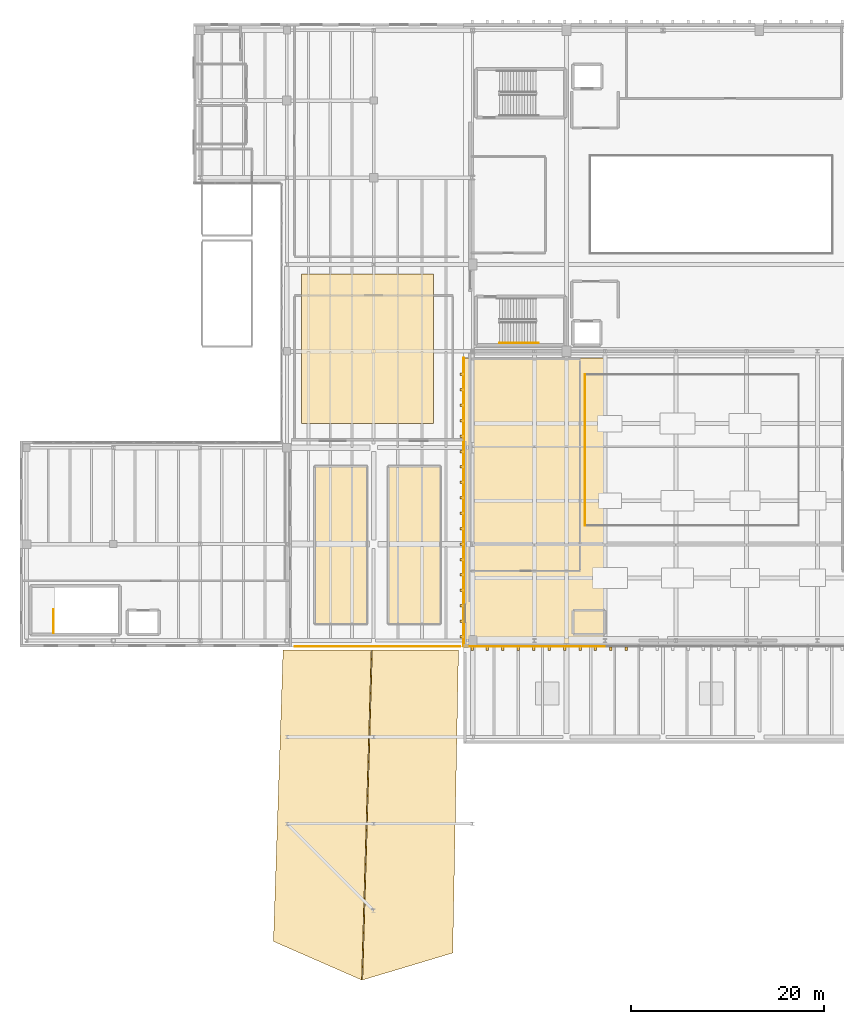
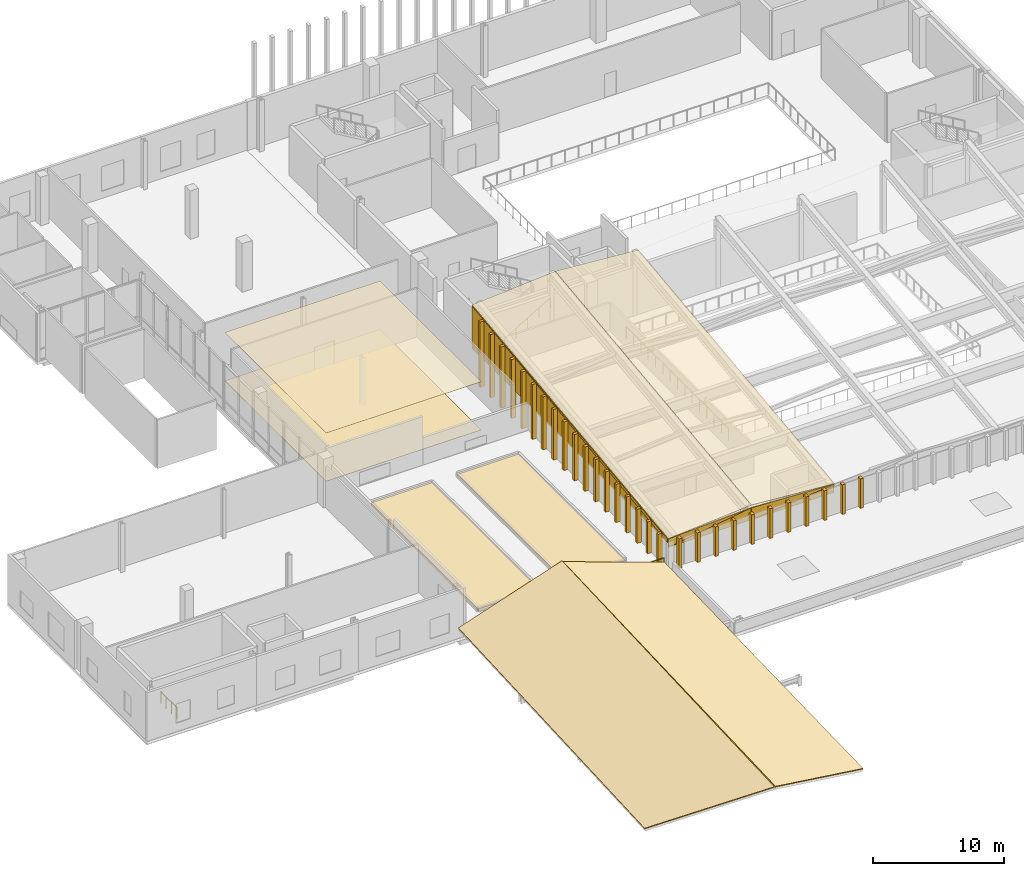
# One storey, part 24 of 30: 43 coverings, 4 railings.
"""IFC4 building model written with IfcOpenShell, lengths in metres."""

from ifc_helpers import new_model, si_unit, direction, frame, origin, origin_2d, place, context, subcontext, project, spatial, polyline, rectangle, circle, outline, extrude, material, layer, layer_set, type_object, element, save


model = new_model("IFC4")

# Units and contexts
model_context = context("Model", 3, precision=1e-05, world=origin(), true_north=direction((0.0, 1.0)))
body_context = subcontext(model_context, "Body", "Model", "MODEL_VIEW")
ifc_project = project(units=[si_unit("LENGTHUNIT", "METRE"), si_unit("AREAUNIT", "SQUARE_METRE"), si_unit("VOLUMEUNIT", "CUBIC_METRE"), si_unit("PLANEANGLEUNIT", "RADIAN"), si_unit("MASSUNIT", "GRAM", prefix="KILO")], contexts=[model_context])

# Site, building, storey
site_placement = place(None, origin())
site = spatial("IfcSite", under=ifc_project, at=site_placement, CompositionType="ELEMENT")
building_placement = place(site_placement, origin())
building = spatial("IfcBuilding", under=site, at=building_placement, Name="Trimount Lyric Opera House", CompositionType="ELEMENT")
storey_placement = place(building_placement, frame((0.0, 0.0, 24.800048828125)))
storey = spatial("IfcBuildingStorey", under=building, at=storey_placement, Name="L05", CompositionType="ELEMENT", Elevation=24.800048828125)

# Coverings
ifc_material_1 = material(Name="Acoustic Gypsum Suspended Ceiling")
ifc_layer_1 = layer(ifc_material_1, 0.030029296875)
ifc_layer_set_1 = layer_set([ifc_layer_1], Name="CEIL-GYP1")
covering_type_1 = type_object("IfcCoveringType", Name="CEIL-GYP1", PredefinedType="CEILING", material=ifc_layer_set_1)
covering_1_placement = place(storey_placement, frame((0.0, 0.0, 4.5)))
element("IfcCovering", 1, at=covering_1_placement, inside=storey, type_object=covering_type_1, Name="Performer Canteen acoustic ceiling", PredefinedType="CEILING", context=body_context, shape_type="SweptSolid", body=[
    extrude(outline(polyline([(46.5, 76.5), (60.199951171875, 76.5), (60.199951171875, 92.0), (46.5, 92.0), (46.5, 76.5)])), origin(), (0.0, 0.0, 1.0), 0.030029296875),
])
ifc_material_2 = material(Name="Matte White GFRC Crystal Facet Panel")
ifc_layer_2 = layer(ifc_material_2, 0.0849609375)
ifc_layer_set_2 = layer_set([ifc_layer_2], Name="CLD-CRYS1")
covering_type_2 = type_object("IfcCoveringType", Name="CLD-CRYS1", PredefinedType="CLADDING", material=ifc_layer_set_2)
covering_2_placement = place(storey_placement, frame((43.60009765625, 22.800048828125, 1.23095703125), z_axis=(-0.317243109544, 0.009277083858, 0.948298869113), x_axis=(0.875071770487, -0.382549523931, 0.296488209271)))
element("IfcCovering", 2, at=covering_2_placement, inside=storey, type_object=covering_type_2, Name="White crystal roof skin on ROOF-CRYS-S3W", PredefinedType="CLADDING", context=body_context, shape_type="SweptSolid", body=[
    extrude(outline(polyline([(0.0, 0.0), (10.456161742120234, 3.3306690738754696e-16), (-1.75194152664159, 31.962460398674114), (-10.666323602364944, 28.27133030953979), (0.0, 0.0)])), origin(), (0.0, 0.0, -1.0), 0.0849609375),
])
covering_3_placement = place(storey_placement, frame((52.85009765625, 18.800048828125, 4.3310546875), z_axis=(0.334520281591, -0.006391932256, 0.942366873572), x_axis=(0.90749591976, 0.271772079748, -0.320298442531)))
element("IfcCovering", 3, at=covering_3_placement, inside=storey, type_object=covering_type_2, Name="White crystal roof skin on ROOF-CRYS-S3E", PredefinedType="CLADDING", context=body_context, shape_type="SweptSolid", body=[
    extrude(outline(polyline([(0.0, 0.0), (10.302929509126713, -3.885780586188048e-16), (19.381132447476862, 30.06493332443463), (10.2414994994422, 32.64603327654836), (0.0, 0.0)])), origin(), (0.0, 0.0, -1.0), 0.0849609375),
])
ifc_material_3 = material(Name="Extruded Brushed Aluminium Vertical Shed Rib", Category="aluminium")
ifc_layer_3 = layer(ifc_material_3, 0.260009765625)
ifc_layer_set_3 = layer_set([ifc_layer_3], Name="CLD-RIB1")
covering_type_3 = type_object("IfcCoveringType", Name="CLD-RIB1", PredefinedType="CLADDING", material=ifc_layer_set_3)
covering_4_placement = place(storey_placement, frame((63.14990234375, 54.39990234375, 0.0), z_axis=(0.0, 0.0, 1.0), x_axis=(1.0, 0.0, 0.0)))
element("IfcCovering", 4, at=covering_4_placement, inside=storey, type_object=covering_type_3, Name="Auditorium W vertical cladding rib 001", PredefinedType="CLADDING", context=body_context, shape_type="SweptSolid", body=[
    extrude(rectangle(XDim=0.3798828125, YDim=0.260009765625, at=origin_2d()), origin(), (0.0, 0.0, 1.0), 2.781494140625),
])
covering_5_placement = place(storey_placement, frame((63.14990234375, 56.0, 0.0), z_axis=(0.0, 0.0, 1.0), x_axis=(1.0, 0.0, 0.0)))
element("IfcCovering", 5, at=covering_5_placement, inside=storey, type_object=covering_type_3, Name="Auditorium W vertical cladding rib 002", PredefinedType="CLADDING", context=body_context, shape_type="SweptSolid", body=[
    extrude(rectangle(XDim=0.3798828125, YDim=0.260009765625, at=origin_2d()), origin(), (0.0, 0.0, 1.0), 2.97607421875),
])
covering_6_placement = place(storey_placement, frame((63.14990234375, 57.60009765625, 0.0), z_axis=(0.0, 0.0, 1.0), x_axis=(1.0, 0.0, 0.0)))
element("IfcCovering", 6, at=covering_6_placement, inside=storey, type_object=covering_type_3, Name="Auditorium W vertical cladding rib 003", PredefinedType="CLADDING", context=body_context, shape_type="SweptSolid", body=[
    extrude(rectangle(XDim=0.3798828125, YDim=0.260009765625, at=origin_2d()), origin(), (0.0, 0.0, 1.0), 3.170654296875),
])
covering_7_placement = place(storey_placement, frame((63.14990234375, 59.199951171875, 0.0), z_axis=(0.0, 0.0, 1.0), x_axis=(1.0, 0.0, 0.0)))
element("IfcCovering", 7, at=covering_7_placement, inside=storey, type_object=covering_type_3, Name="Auditorium W vertical cladding rib 004", PredefinedType="CLADDING", context=body_context, shape_type="SweptSolid", body=[
    extrude(rectangle(XDim=0.3798828125, YDim=0.260009765625, at=origin_2d()), origin(), (0.0, 0.0, 1.0), 3.365478515625),
])
covering_8_placement = place(storey_placement, frame((63.14990234375, 60.800048828125, 0.0), z_axis=(0.0, 0.0, 1.0), x_axis=(1.0, 0.0, 0.0)))
element("IfcCovering", 8, at=covering_8_placement, inside=storey, type_object=covering_type_3, Name="Auditorium W vertical cladding rib 005", PredefinedType="CLADDING", context=body_context, shape_type="SweptSolid", body=[
    extrude(rectangle(XDim=0.3798828125, YDim=0.260009765625, at=origin_2d()), origin(), (0.0, 0.0, 1.0), 3.56005859375),
])
covering_9_placement = place(storey_placement, frame((63.14990234375, 62.39990234375, 0.0), z_axis=(0.0, 0.0, 1.0), x_axis=(1.0, 0.0, 0.0)))
element("IfcCovering", 9, at=covering_9_placement, inside=storey, type_object=covering_type_3, Name="Auditorium W vertical cladding rib 006", PredefinedType="CLADDING", context=body_context, shape_type="SweptSolid", body=[
    extrude(rectangle(XDim=0.3798828125, YDim=0.260009765625, at=origin_2d()), origin(), (0.0, 0.0, 1.0), 3.754638671875),
])
covering_10_placement = place(storey_placement, frame((63.14990234375, 64.0, 0.0), z_axis=(0.0, 0.0, 1.0), x_axis=(1.0, 0.0, 0.0)))
element("IfcCovering", 10, at=covering_10_placement, inside=storey, type_object=covering_type_3, Name="Auditorium W vertical cladding rib 007", PredefinedType="CLADDING", context=body_context, shape_type="SweptSolid", body=[
    extrude(rectangle(XDim=0.3798828125, YDim=0.260009765625, at=origin_2d()), origin(), (0.0, 0.0, 1.0), 3.949462890625),
])
covering_11_placement = place(storey_placement, frame((63.14990234375, 65.60009765625, 0.0), z_axis=(0.0, 0.0, 1.0), x_axis=(1.0, 0.0, 0.0)))
element("IfcCovering", 11, at=covering_11_placement, inside=storey, type_object=covering_type_3, Name="Auditorium W vertical cladding rib 008", PredefinedType="CLADDING", context=body_context, shape_type="SweptSolid", body=[
    extrude(rectangle(XDim=0.3798828125, YDim=0.260009765625, at=origin_2d()), origin(), (0.0, 0.0, 1.0), 4.14404296875),
])
covering_12_placement = place(storey_placement, frame((63.14990234375, 67.199951171875, 0.0), z_axis=(0.0, 0.0, 1.0), x_axis=(1.0, 0.0, 0.0)))
element("IfcCovering", 12, at=covering_12_placement, inside=storey, type_object=covering_type_3, Name="Auditorium W vertical cladding rib 009", PredefinedType="CLADDING", context=body_context, shape_type="SweptSolid", body=[
    extrude(rectangle(XDim=0.3798828125, YDim=0.260009765625, at=origin_2d()), origin(), (0.0, 0.0, 1.0), 4.338623046875),
])
covering_13_placement = place(storey_placement, frame((63.14990234375, 68.800048828125, 0.0), z_axis=(0.0, 0.0, 1.0), x_axis=(1.0, 0.0, 0.0)))
element("IfcCovering", 13, at=covering_13_placement, inside=storey, type_object=covering_type_3, Name="Auditorium W vertical cladding rib 010", PredefinedType="CLADDING", context=body_context, shape_type="SweptSolid", body=[
    extrude(rectangle(XDim=0.3798828125, YDim=0.260009765625, at=origin_2d()), origin(), (0.0, 0.0, 1.0), 4.533447265625),
])
covering_14_placement = place(storey_placement, frame((63.14990234375, 70.39990234375, 0.0), z_axis=(0.0, 0.0, 1.0), x_axis=(1.0, 0.0, 0.0)))
element("IfcCovering", 14, at=covering_14_placement, inside=storey, type_object=covering_type_3, Name="Auditorium W vertical cladding rib 011", PredefinedType="CLADDING", context=body_context, shape_type="SweptSolid", body=[
    extrude(rectangle(XDim=0.3798828125, YDim=0.260009765625, at=origin_2d()), origin(), (0.0, 0.0, 1.0), 4.72802734375),
])
covering_15_placement = place(storey_placement, frame((63.14990234375, 72.0, 0.0), z_axis=(0.0, 0.0, 1.0), x_axis=(1.0, 0.0, 0.0)))
element("IfcCovering", 15, at=covering_15_placement, inside=storey, type_object=covering_type_3, Name="Auditorium W vertical cladding rib 012", PredefinedType="CLADDING", context=body_context, shape_type="SweptSolid", body=[
    extrude(rectangle(XDim=0.3798828125, YDim=0.260009765625, at=origin_2d()), origin(), (0.0, 0.0, 1.0), 4.922607421875),
])
covering_16_placement = place(storey_placement, frame((63.14990234375, 73.60009765625, 0.0), z_axis=(0.0, 0.0, 1.0), x_axis=(1.0, 0.0, 0.0)))
element("IfcCovering", 16, at=covering_16_placement, inside=storey, type_object=covering_type_3, Name="Auditorium W vertical cladding rib 013", PredefinedType="CLADDING", context=body_context, shape_type="SweptSolid", body=[
    extrude(rectangle(XDim=0.3798828125, YDim=0.260009765625, at=origin_2d()), origin(), (0.0, 0.0, 1.0), 5.117431640625),
])
covering_17_placement = place(storey_placement, frame((63.14990234375, 75.199951171875, 0.0), z_axis=(0.0, 0.0, 1.0), x_axis=(1.0, 0.0, 0.0)))
element("IfcCovering", 17, at=covering_17_placement, inside=storey, type_object=covering_type_3, Name="Auditorium W vertical cladding rib 014", PredefinedType="CLADDING", context=body_context, shape_type="SweptSolid", body=[
    extrude(rectangle(XDim=0.3798828125, YDim=0.260009765625, at=origin_2d()), origin(), (0.0, 0.0, 1.0), 5.31201171875),
])
covering_18_placement = place(storey_placement, frame((63.14990234375, 76.800048828125, 0.0), z_axis=(0.0, 0.0, 1.0), x_axis=(1.0, 0.0, 0.0)))
element("IfcCovering", 18, at=covering_18_placement, inside=storey, type_object=covering_type_3, Name="Auditorium W vertical cladding rib 015", PredefinedType="CLADDING", context=body_context, shape_type="SweptSolid", body=[
    extrude(rectangle(XDim=0.3798828125, YDim=0.260009765625, at=origin_2d()), origin(), (0.0, 0.0, 1.0), 5.506591796875),
])
covering_19_placement = place(storey_placement, frame((63.14990234375, 78.39990234375, 0.0), z_axis=(0.0, 0.0, 1.0), x_axis=(1.0, 0.0, 0.0)))
element("IfcCovering", 19, at=covering_19_placement, inside=storey, type_object=covering_type_3, Name="Auditorium W vertical cladding rib 016", PredefinedType="CLADDING", context=body_context, shape_type="SweptSolid", body=[
    extrude(rectangle(XDim=0.3798828125, YDim=0.260009765625, at=origin_2d()), origin(), (0.0, 0.0, 1.0), 5.701416015625),
])
covering_20_placement = place(storey_placement, frame((63.14990234375, 80.0, 0.0), z_axis=(0.0, 0.0, 1.0), x_axis=(1.0, 0.0, 0.0)))
element("IfcCovering", 20, at=covering_20_placement, inside=storey, type_object=covering_type_3, Name="Auditorium W vertical cladding rib 017", PredefinedType="CLADDING", context=body_context, shape_type="SweptSolid", body=[
    extrude(rectangle(XDim=0.3798828125, YDim=0.260009765625, at=origin_2d()), origin(), (0.0, 0.0, 1.0), 5.89599609375),
])
covering_21_placement = place(storey_placement, frame((63.14990234375, 81.60009765625, 0.0), z_axis=(0.0, 0.0, 1.0), x_axis=(1.0, 0.0, 0.0)))
element("IfcCovering", 21, at=covering_21_placement, inside=storey, type_object=covering_type_3, Name="Auditorium W vertical cladding rib 018", PredefinedType="CLADDING", context=body_context, shape_type="SweptSolid", body=[
    extrude(rectangle(XDim=0.3798828125, YDim=0.260009765625, at=origin_2d()), origin(), (0.0, 0.0, 1.0), 6.0908203125),
])
for number, where, z_axis, x_axis, name in (
    (22, (64.199951171875, 53.155029296875, 0.0), (0.0, 0.0, 1.0), (1.0, 0.0, 0.0), "Auditorium south vertical cladding rib 121"),
    (23, (65.800048828125, 53.155029296875, 0.0), (0.0, 0.0, 1.0), (1.0, 0.0, 0.0), "Auditorium south vertical cladding rib 126"),
    (24, (67.39990234375, 53.155029296875, 0.0), (0.0, 0.0, 1.0), (1.0, 0.0, 0.0), "Auditorium south vertical cladding rib 131"),
    (25, (69.0, 53.155029296875, 0.0), (0.0, 0.0, 1.0), (1.0, 0.0, 0.0), "Auditorium south vertical cladding rib 136"),
    (26, (70.60009765625, 53.155029296875, 0.0), (0.0, 0.0, 1.0), (1.0, 0.0, 0.0), "Auditorium south vertical cladding rib 141"),
    (27, (72.199951171875, 53.155029296875, 0.0), (0.0, 0.0, 1.0), (1.0, 0.0, 0.0), "Auditorium south vertical cladding rib 146"),
    (28, (73.800048828125, 53.155029296875, 0.0), (0.0, 0.0, 1.0), (1.0, 0.0, 0.0), "Auditorium south vertical cladding rib 151"),
    (29, (75.39990234375, 53.155029296875, 0.0), (0.0, 0.0, 1.0), (1.0, 0.0, 0.0), "Auditorium south vertical cladding rib 156"),
    (30, (77.0, 53.155029296875, 0.0), (0.0, 0.0, 1.0), (1.0, 0.0, 0.0), "Auditorium south vertical cladding rib 161"),
    (31, (78.60009765625, 53.155029296875, 0.0), (0.0, 0.0, 1.0), (1.0, 0.0, 0.0), "Auditorium south vertical cladding rib 166"),
    (32, (80.199951171875, 53.155029296875, 0.0), (0.0, 0.0, 1.0), (1.0, 0.0, 0.0), "Auditorium south vertical cladding rib 171"),
):
    element("IfcCovering", number, at=place(storey_placement, frame(where, z_axis=z_axis, x_axis=x_axis)), inside=storey, type_object=covering_type_3, Name=name, PredefinedType="CLADDING", context=body_context, shape_type="SweptSolid", body=[
        extrude(rectangle(XDim=0.260009765625, YDim=0.3798828125, at=origin_2d()), origin(), (0.0, 0.0, 1.0), 2.760009765625),
    ])
ifc_material_4 = material(Name="Anodised Aluminium Acoustic Shed Cladding", Category="aluminium")
ifc_layer_4 = layer(ifc_material_4, 0.074951171875)
ifc_layer_set_4 = layer_set([ifc_layer_4], Name="CLD-SHED1")
covering_type_4 = type_object("IfcCoveringType", Name="CLD-SHED1", PredefinedType="CLADDING", material=ifc_layer_set_4)
covering_22_placement = place(storey_placement, frame((63.340087890625, 53.360107421875, 2.0), z_axis=(0.0, -1.0, 0.0), x_axis=(1.0, 0.0, 0.0)))
element("IfcCovering", 33, at=covering_22_placement, inside=storey, type_object=covering_type_4, Name="Auditorium L05 south folded eave cladding 1.1", PredefinedType="CLADDING", context=body_context, shape_type="SweptSolid", body=[
    extrude(outline(polyline([(0.0, 0.0), (7.297119140625, 0.0), (7.297119140625, 1.119873046875), (0.0, 0.0)])), origin(), (0.0, 0.0, -1.0), 0.074951171875),
])
covering_23_placement = place(storey_placement, frame((63.340087890625, 53.360107421875, 2.0), z_axis=(0.0, -1.0, 0.0), x_axis=(0.988427829949, 0.0, 0.151691875137)))
element("IfcCovering", 34, at=covering_23_placement, inside=storey, type_object=covering_type_4, Name="Auditorium L05 south folded eave cladding 1.2", PredefinedType="CLADDING", context=body_context, shape_type="SweptSolid", body=[
    extrude(outline(polyline([(0.0, 0.0), (7.382551279442144, 0.0), (0.11376890635288844, 0.7413208724616269), (0.0, 0.0)])), origin(), (0.0, 0.0, -1.0), 0.074951171875),
])
covering_24_placement = place(storey_placement, frame((70.67724609375, 53.360107421875, 2.0), z_axis=(0.0, -1.0, 0.0), x_axis=(1.0, 0.0, 0.0)))
element("IfcCovering", 35, at=covering_24_placement, inside=storey, type_object=covering_type_4, Name="Auditorium L05 south folded eave cladding 2.1", PredefinedType="CLADDING", context=body_context, shape_type="SweptSolid", body=[
    extrude(outline(polyline([(0.0, 0.0), (7.297119140625, 0.0), (7.297119140625, 0.75), (0.0, 0.0)])), origin(), (0.0, 0.0, -1.0), 0.074951171875),
])
covering_25_placement = place(storey_placement, frame((70.67724609375, 53.360107421875, 2.0), z_axis=(0.0, -1.0, 0.0), x_axis=(0.994759588879, 0.0, 0.102241676103)))
element("IfcCovering", 36, at=covering_25_placement, inside=storey, type_object=covering_type_4, Name="Auditorium L05 south folded eave cladding 2.2", PredefinedType="CLADDING", context=body_context, shape_type="SweptSolid", body=[
    extrude(outline(polyline([(0.0, 0.0), (7.335560493409876, 1.1102230246251565e-16), (0.11449769733489405, 1.1140044517065912), (0.0, 0.0)])), origin(), (0.0, 0.0, -1.0), 0.074951171875),
])
covering_26_placement = place(storey_placement, frame((63.3798828125, 53.39990234375, 2.39990234375), z_axis=(1.0, 0.0, 0.0), x_axis=(0.0, 1.0, 0.0)))
element("IfcCovering", 37, at=covering_26_placement, inside=storey, type_object=covering_type_4, Name="Auditorium L05 W raked gable cladding 1", PredefinedType="CLADDING", context=body_context, shape_type="SweptSolid", body=[
    extrude(outline(polyline([(0.0, 0.0), (29.920166015625, 0.0), (29.920166015625, 3.97998046875), (0.0, 0.0)])), origin(), (0.0, 0.0, -1.0), 0.074951171875),
])
covering_27_placement = place(storey_placement, frame((63.3798828125, 53.39990234375, 2.39990234375), z_axis=(1.0, 0.0, 0.0), x_axis=(0.0, 0.991268543395, 0.131858541157)))
element("IfcCovering", 38, at=covering_27_placement, inside=storey, type_object=covering_type_4, Name="Auditorium L05 W raked gable cladding 2", PredefinedType="CLADDING", context=body_context, shape_type="SweptSolid", body=[
    extrude(outline(polyline([(0.0, 0.0), (30.183713802880398, 4.440892098500626e-16), (0.04616336621563058, 0.3470407937568504), (0.0, 0.0)])), origin(), (0.0, 0.0, -1.0), 0.074951171875),
])
ifc_material_5 = material(Name="Honed Granite Terrazzo Concourse Flooring", Category="masonry")
ifc_layer_5 = layer(ifc_material_5, 0.02490234375)
ifc_layer_set_5 = layer_set([ifc_layer_5], Name="FLR-TRZ1")
covering_type_5 = type_object("IfcCoveringType", Name="FLR-TRZ1", PredefinedType="FLOORING", material=ifc_layer_set_5)
covering_28_placement = place(storey_placement, origin())
element("IfcCovering", 39, at=covering_28_placement, inside=storey, type_object=covering_type_5, Name="Performer Canteen finish flooring", PredefinedType="FLOORING", context=body_context, shape_type="SweptSolid", body=[
    extrude(outline(polyline([(46.5, 76.5), (60.199951171875, 76.5), (60.199951171875, 92.0), (46.5, 92.0), (46.5, 76.5)])), origin(), (0.0, 0.0, 1.0), 0.02490234375),
])
ifc_material_6 = material(Name="Intensive Planted Sedum and Perennial Roof Garden")
ifc_layer_6 = layer(ifc_material_6, 0.219970703125)
ifc_layer_set_6 = layer_set([ifc_layer_6], Name="RFG-GRDN1")
covering_type_6 = type_object("IfcCoveringType", Name="RFG-GRDN1", PredefinedType="ROOFING", material=ifc_layer_set_6)
covering_29_placement = place(storey_placement, origin())
element("IfcCovering", 40, at=covering_29_placement, inside=storey, type_object=covering_type_6, Name="West Rehearsal Roof Garden planted sedum and perennial bed 1", PredefinedType="ROOFING", context=body_context, shape_type="SweptSolid", body=[
    extrude(outline(polyline([(47.89990234375, 55.719970703125), (53.31005859375, 55.719970703125), (53.31005859375, 72.080078125), (47.89990234375, 72.080078125), (47.89990234375, 55.719970703125)])), origin(), (0.0, 0.0, 1.0), 0.219970703125),
])
covering_30_placement = place(storey_placement, origin())
element("IfcCovering", 41, at=covering_30_placement, inside=storey, type_object=covering_type_6, Name="West Rehearsal Roof Garden planted sedum and perennial bed 2", PredefinedType="ROOFING", context=body_context, shape_type="SweptSolid", body=[
    extrude(outline(polyline([(55.510009765625, 55.719970703125), (60.919921875, 55.719970703125), (60.919921875, 72.080078125), (55.510009765625, 72.080078125), (55.510009765625, 55.719970703125)])), origin(), (0.0, 0.0, 1.0), 0.219970703125),
])
ifc_material_7 = material(Name="Zinc-Titanium Standing-Seam Acoustic Roofing")
ifc_layer_7 = layer(ifc_material_7, 0.044921875)
ifc_layer_set_7 = layer_set([ifc_layer_7], Name="RFG-SHED1")
covering_type_7 = type_object("IfcCoveringType", Name="RFG-SHED1", PredefinedType="ROOFING", material=ifc_layer_set_7)
covering_31_placement = place(storey_placement, frame((63.320068359375, 53.320068359375, 2.841064453125), z_axis=(-0.076888657797, -0.11976838332, 0.989820018316), x_axis=(0.996996556778, -1.966413e-06, 0.077445889299)))
element("IfcCovering", 42, at=covering_31_placement, inside=storey, type_object=covering_type_7, Name="Standing-seam zinc-titanium roofing on AUD-SLAB-01", PredefinedType="ROOFING", context=body_context, shape_type="SweptSolid", body=[
    extrude(outline(polyline([(0.0, 0.0), (7.3592520084149315, 1.3877787807814457e-17), (7.640331426168505, 30.217524982071588), (0.28106051006575694, 30.21749582952838), (0.0, 0.0)])), origin(), (0.0, 0.0, -1.0), 0.044921875),
])
covering_32_placement = place(storey_placement, frame((70.6572265625, 53.320068359375, 3.410888671875), z_axis=(0.076888657797, -0.11976838332, 0.989820018316), x_axis=(0.996996556778, 1.966413e-06, -0.077445889299)))
element("IfcCovering", 43, at=covering_32_placement, inside=storey, type_object=covering_type_7, Name="Standing-seam zinc-titanium roofing on AUD-SLAB-02", PredefinedType="ROOFING", context=body_context, shape_type="SweptSolid", body=[
    extrude(outline(polyline([(0.0, 0.0), (7.3592520084149315, -1.3877787807814457e-17), (7.078191498349175, 30.21749582952838), (-0.28107941775357403, 30.21752498207159), (0.0, 0.0)])), origin(), (0.0, 0.0, -1.0), 0.044921875),
])

# Railings
ifc_material_8 = material(Name="Brushed Stainless Steel 316", Category="steel")
railing_type_1 = type_object("IfcRailingType", Name="RL-GRD110", PredefinedType="GUARDRAIL", material=ifc_material_8)
railing_1_placement = place(storey_placement, frame((20.800048828125, 54.800048828125, 0.0)))
element("IfcRailing", 44, at=railing_1_placement, inside=storey, type_object=railing_type_1, Name="L05 ST-06 top well guard 1", PredefinedType="GUARDRAIL", context=body_context, shape_type="SweptSolid", body=[
    extrude(circle(Radius=0.02392578125, at=origin_2d()), frame((0.0, 0.0, 1.076171875), z_axis=(0.0, 1.0, 0.0), x_axis=(-1.0, 0.0, 0.0)), (0.0, 0.0, 1.0), 2.449951171875),
    extrude(circle(Radius=0.02099609375, at=origin_2d()), origin(), (0.0, 0.0, 1.0), 1.052001953125),
    extrude(circle(Radius=0.02099609375, at=origin_2d()), frame((0.0, 0.816650390625, 0.0)), (0.0, 0.0, 1.0), 1.052001953125),
    extrude(circle(Radius=0.02099609375, at=origin_2d()), frame((0.0, 1.63330078125, 0.0)), (0.0, 0.0, 1.0), 1.052001953125),
    extrude(circle(Radius=0.02099609375, at=origin_2d()), frame((0.0, 2.449951171875, 0.0)), (0.0, 0.0, 1.0), 1.052001953125),
])
railing_2_placement = place(storey_placement, frame((75.919921875, 81.580078125, 0.0)))
element("IfcRailing", 45, at=railing_2_placement, inside=storey, type_object=railing_type_1, Name="L05 atrium and balcony guard GRD-AUD-L05-W", PredefinedType="GUARDRAIL", context=body_context, shape_type="SweptSolid", body=[
    extrude(circle(Radius=0.02392578125, at=origin_2d()), frame((0.0, 0.0, 1.076171875), z_axis=(0.0, -1.0, 0.0), x_axis=(1.0, 0.0, 0.0)), (0.0, 0.0, 1.0), 15.66015625),
    extrude(circle(Radius=0.02099609375, at=origin_2d()), origin(), (0.0, 0.0, 1.0), 1.052001953125),
    extrude(circle(Radius=0.02099609375, at=origin_2d()), frame((0.0, -1.11865234375, 0.0)), (0.0, 0.0, 1.0), 1.052001953125),
    extrude(circle(Radius=0.02099609375, at=origin_2d()), frame((0.0, -2.237060546875, 0.0)), (0.0, 0.0, 1.0), 1.052001953125),
    extrude(circle(Radius=0.02099609375, at=origin_2d()), frame((0.0, -3.355712890625, 0.0)), (0.0, 0.0, 1.0), 1.052001953125),
    extrude(circle(Radius=0.02099609375, at=origin_2d()), frame((0.0, -4.474365234375, 0.0)), (0.0, 0.0, 1.0), 1.052001953125),
    extrude(circle(Radius=0.02099609375, at=origin_2d()), frame((0.0, -5.593017578125, 0.0)), (0.0, 0.0, 1.0), 1.052001953125),
    extrude(circle(Radius=0.02099609375, at=origin_2d()), frame((0.0, -6.71142578125, 0.0)), (0.0, 0.0, 1.0), 1.052001953125),
    extrude(circle(Radius=0.02099609375, at=origin_2d()), frame((0.0, -7.830078125, 0.0)), (0.0, 0.0, 1.0), 1.052001953125),
    extrude(circle(Radius=0.02099609375, at=origin_2d()), frame((0.0, -8.94873046875, 0.0)), (0.0, 0.0, 1.0), 1.052001953125),
    extrude(circle(Radius=0.02099609375, at=origin_2d()), frame((0.0, -10.067138671875, 0.0)), (0.0, 0.0, 1.0), 1.052001953125),
    extrude(circle(Radius=0.02099609375, at=origin_2d()), frame((0.0, -11.185791015625, 0.0)), (0.0, 0.0, 1.0), 1.052001953125),
    extrude(circle(Radius=0.02099609375, at=origin_2d()), frame((0.0, -12.304443359375, 0.0)), (0.0, 0.0, 1.0), 1.052001953125),
    extrude(circle(Radius=0.02099609375, at=origin_2d()), frame((0.0, -13.423095703125, 0.0)), (0.0, 0.0, 1.0), 1.052001953125),
    extrude(circle(Radius=0.02099609375, at=origin_2d()), frame((0.0, -14.54150390625, 0.0)), (0.0, 0.0, 1.0), 1.052001953125),
    extrude(circle(Radius=0.02099609375, at=origin_2d()), frame((0.0, -15.66015625, 0.0)), (0.0, 0.0, 1.0), 1.052001953125),
])
ifc_material_9 = material(Name="Laminated Glass and Stainless Steel", Category="steel")
railing_type_2 = type_object("IfcRailingType", Name="RL-GRD115", PredefinedType="GUARDRAIL", material=ifc_material_9)
railing_3_placement = place(storey_placement, frame((62.969970703125, 53.39990234375, 0.0)))
element("IfcRailing", 46, at=railing_3_placement, inside=storey, type_object=railing_type_2, Name="West Rehearsal Roof Garden perimeter guardrail 1", PredefinedType="GUARDRAIL", context=body_context, shape_type="SweptSolid", body=[
    extrude(circle(Radius=0.02392578125, at=origin_2d()), frame((0.0, 0.0, 1.1259765625), z_axis=(-1.0, 0.0, 0.0), x_axis=(0.0, -1.0, 0.0)), (0.0, 0.0, 1.0), 17.119873046875),
    extrude(circle(Radius=0.02099609375, at=origin_2d()), origin(), (0.0, 0.0, 1.0), 1.101806640625),
    extrude(circle(Radius=0.02099609375, at=origin_2d()), frame((-1.141357421875, 0.0, 0.0)), (0.0, 0.0, 1.0), 1.101806640625),
    extrude(circle(Radius=0.02099609375, at=origin_2d()), frame((-2.28271484375, 0.0, 0.0)), (0.0, 0.0, 1.0), 1.101806640625),
    extrude(circle(Radius=0.02099609375, at=origin_2d()), frame((-3.424072265625, 0.0, 0.0)), (0.0, 0.0, 1.0), 1.101806640625),
    extrude(circle(Radius=0.02099609375, at=origin_2d()), frame((-4.565185546875, 0.0, 0.0)), (0.0, 0.0, 1.0), 1.101806640625),
    extrude(circle(Radius=0.02099609375, at=origin_2d()), frame((-5.70654296875, 0.0, 0.0)), (0.0, 0.0, 1.0), 1.101806640625),
    extrude(circle(Radius=0.02099609375, at=origin_2d()), frame((-6.847900390625, 0.0, 0.0)), (0.0, 0.0, 1.0), 1.101806640625),
    extrude(circle(Radius=0.02099609375, at=origin_2d()), frame((-7.9892578125, 0.0, 0.0)), (0.0, 0.0, 1.0), 1.101806640625),
    extrude(circle(Radius=0.02099609375, at=origin_2d()), frame((-9.130615234375, 0.0, 0.0)), (0.0, 0.0, 1.0), 1.101806640625),
    extrude(circle(Radius=0.02099609375, at=origin_2d()), frame((-10.27197265625, 0.0, 0.0)), (0.0, 0.0, 1.0), 1.101806640625),
    extrude(circle(Radius=0.02099609375, at=origin_2d()), frame((-11.413330078125, 0.0, 0.0)), (0.0, 0.0, 1.0), 1.101806640625),
    extrude(circle(Radius=0.02099609375, at=origin_2d()), frame((-12.5546875, 0.0, 0.0)), (0.0, 0.0, 1.0), 1.101806640625),
    extrude(circle(Radius=0.02099609375, at=origin_2d()), frame((-13.69580078125, 0.0, 0.0)), (0.0, 0.0, 1.0), 1.101806640625),
    extrude(circle(Radius=0.02099609375, at=origin_2d()), frame((-14.837158203125, 0.0, 0.0)), (0.0, 0.0, 1.0), 1.101806640625),
    extrude(circle(Radius=0.02099609375, at=origin_2d()), frame((-15.978515625, 0.0, 0.0)), (0.0, 0.0, 1.0), 1.101806640625),
    extrude(circle(Radius=0.02099609375, at=origin_2d()), frame((-17.119873046875, 0.0, 0.0)), (0.0, 0.0, 1.0), 1.101806640625),
])
ifc_material_10 = material(Name="Brushed Stainless Steel 316", Category="steel")
railing_type_3 = type_object("IfcRailingType", Name="RL-HND092", PredefinedType="HANDRAIL", material=ifc_material_10)
railing_4_placement = place(storey_placement, frame((67.050048828125, 84.85009765625, 0.17138671875)))
element("IfcRailing", 47, at=railing_4_placement, inside=storey, type_object=railing_type_3, Name="L05 ST-03 stair handrail 1", PredefinedType="HANDRAIL", context=body_context, shape_type="SweptSolid", body=[
    extrude(circle(Radius=0.0224609375, at=origin_2d()), frame((0.0, 0.0, 0.8974609375), z_axis=(0.86055955557, 0.0, 0.509349831959), x_axis=(0.0, 1.0, 0.0)), (0.0, 0.0, 1.0), 4.718017578125),
    extrude(circle(Radius=0.02099609375, at=origin_2d()), origin(), (0.0, 0.0, 1.0), 0.875),
    extrude(circle(Radius=0.02099609375, at=origin_2d()), frame((1.01513671875, 0.0, 0.600830078125)), (0.0, 0.0, 1.0), 0.875),
    extrude(circle(Radius=0.02099609375, at=origin_2d()), frame((2.030029296875, 0.0, 1.20166015625)), (0.0, 0.0, 1.0), 0.875),
    extrude(circle(Radius=0.02099609375, at=origin_2d()), frame((3.044921875, 0.0, 1.80224609375)), (0.0, 0.0, 1.0), 0.875),
    extrude(circle(Radius=0.02099609375, at=origin_2d()), frame((4.06005859375, 0.0, 2.403076171875)), (0.0, 0.0, 1.0), 0.875),
])

save(model, "model.ifc")
